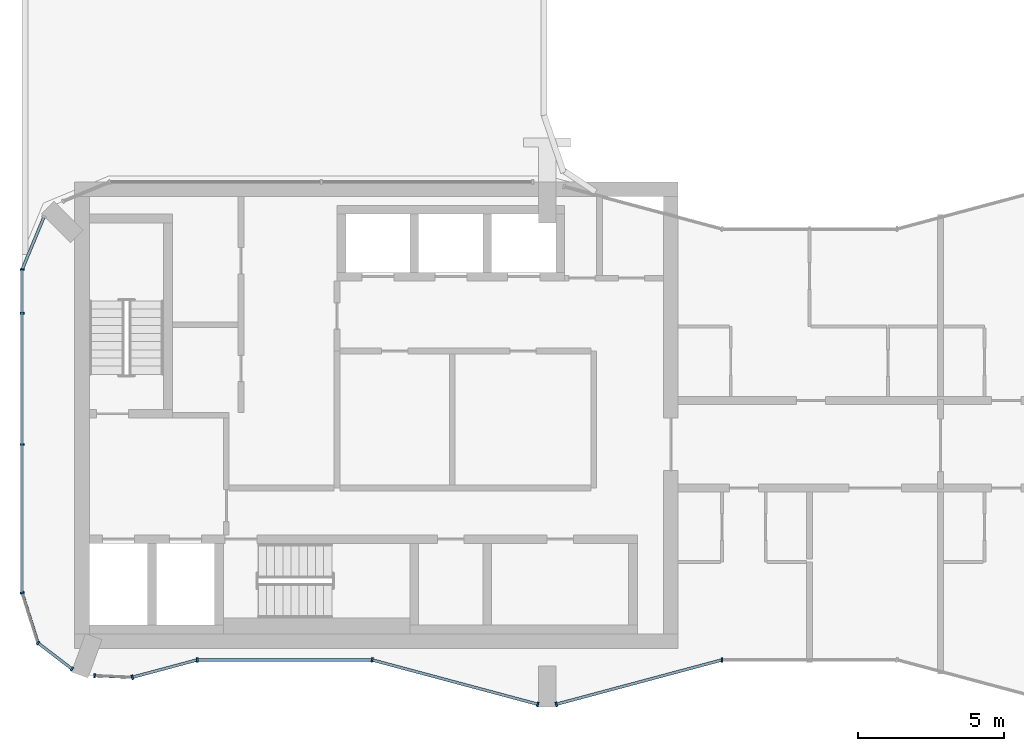
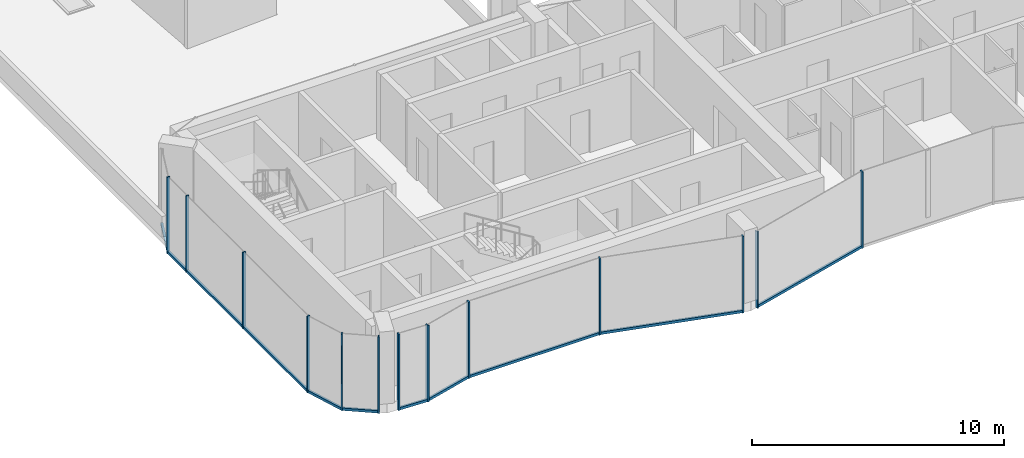
# One storey, part 2 of 13: 22 members, 10 elements without a shape of their own.
"""IFC4 building model written with IfcOpenShell, lengths in metres."""

from ifc_helpers import new_model, si_unit, direction, frame, origin, origin_2d, place, context, subcontext, project, spatial, rectangle, extrude, material, layer, layer_set, material_profile, profile_set, type_object, element, aggregate, save


model = new_model("IFC4")

# Units and contexts
model_context = context("Model", 3, precision=1e-05, world=origin(), true_north=direction((0.0, 1.0)))
body_context = subcontext(model_context, "Body", "Model", "MODEL_VIEW")
ifc_project = project(units=[si_unit("LENGTHUNIT", "METRE"), si_unit("AREAUNIT", "SQUARE_METRE"), si_unit("VOLUMEUNIT", "CUBIC_METRE"), si_unit("PLANEANGLEUNIT", "RADIAN"), si_unit("MASSUNIT", "GRAM", prefix="KILO")], contexts=[model_context])

# Site, building, storey
site_placement = place(None, origin())
site = spatial("IfcSite", under=ifc_project, at=site_placement, CompositionType="ELEMENT")
building_placement = place(site_placement, origin())
building = spatial("IfcBuilding", under=site, at=building_placement, Name="Plateau Cross Towers", CompositionType="ELEMENT")
storey_placement = place(building_placement, frame((0.0, 0.0, 229.39990234375)))
storey = spatial("IfcBuildingStorey", under=building, at=storey_placement, Name="L60", CompositionType="ELEMENT", Elevation=229.39990234375)

# Curtain wall, members
ifc_material_1 = material(Name="Dark low-iron glass", Category="glass")
ifc_layer_1 = layer(ifc_material_1, 0.239990234375)
ifc_layer_set_1 = layer_set([ifc_layer_1], Name="Dark low-iron glass")
curtain_wall_type_1 = type_object("IfcCurtainWallType", Name="Curtain wall flush unitised CW-B", PredefinedType="NOTDEFINED", material=ifc_layer_set_1)
curtain_wall_1_placement = place(storey_placement, origin())
curtain_wall_1 = element("IfcCurtainWall", 1, at=curtain_wall_1_placement, inside=storey, type_object=curtain_wall_type_1, Name="ENV/A/L60/A0_150", PredefinedType="NOTDEFINED")
ifc_material_2 = material(Name="Black anodised aluminium", Category="aluminium")
ifc_material_profile_1 = material_profile(ifc_material_2, rectangle(XDim=0.06005859375, YDim=0.139892578125, at=origin_2d()), Name="MULLION 60x140")
ifc_profile_set_1 = profile_set([ifc_material_profile_1], Name="Black anodised aluminium")
member_type_1 = type_object("IfcMemberType", Name="Mullion 60x140 flush unitised", PredefinedType="MULLION", material=ifc_profile_set_1)
member_1_placement = place(storey_placement, frame((0.0, 15.0, -0.449951171875), z_axis=(0.0, 0.0, 1.0), x_axis=(0.0, -1.0, 0.0)))
member_1 = element("IfcMember", 2, at=member_1_placement, type_object=member_type_1, Name="CW-B mullion 1", PredefinedType="MULLION", context=body_context, shape_type="SweptSolid", body=[
    extrude(rectangle(XDim=0.06005859375, YDim=0.139892578125, at=origin_2d()), origin(), (0.0, 0.0, 1.0), 3.699951171875),
])
member_2_placement = place(storey_placement, frame((0.0, 13.5, -0.449951171875), z_axis=(0.0, 0.0, 1.0), x_axis=(0.0, -1.0, 0.0)))
member_2 = element("IfcMember", 3, at=member_2_placement, type_object=member_type_1, Name="CW-B mullion 2", PredefinedType="MULLION", context=body_context, shape_type="SweptSolid", body=[
    extrude(rectangle(XDim=0.06005859375, YDim=0.139892578125, at=origin_2d()), origin(), (0.0, 0.0, 1.0), 3.699951171875),
])
member_3_placement = place(storey_placement, frame((0.0, 9.0, -0.449951171875), z_axis=(0.0, 0.0, 1.0), x_axis=(0.0, -1.0, 0.0)))
member_3 = element("IfcMember", 4, at=member_3_placement, type_object=member_type_1, Name="CW-B mullion 3", PredefinedType="MULLION", context=body_context, shape_type="SweptSolid", body=[
    extrude(rectangle(XDim=0.06005859375, YDim=0.139892578125, at=origin_2d()), origin(), (0.0, 0.0, 1.0), 3.699951171875),
])

# Curtain wall, member
curtain_wall_2_placement = place(storey_placement, origin())
curtain_wall_2 = element("IfcCurtainWall", 5, at=curtain_wall_2_placement, inside=storey, type_object=curtain_wall_type_1, Name="ENV/A/L60/A0_39", PredefinedType="NOTDEFINED")
member_4_placement = place(storey_placement, frame((0.0, 3.9091796875, -0.449951171875), z_axis=(0.0, 0.0, 1.0), x_axis=(0.300686174994, -0.95372313811, 0.0)))
member_4 = element("IfcMember", 6, at=member_4_placement, type_object=member_type_1, Name="CW-B mullion 1", PredefinedType="MULLION", context=body_context, shape_type="SweptSolid", body=[
    extrude(rectangle(XDim=0.06005859375, YDim=0.139892578125, at=origin_2d()), origin(), (0.0, 0.0, 1.0), 3.699951171875),
])

# Curtain wall, members
curtain_wall_3_placement = place(storey_placement, origin())
curtain_wall_3 = element("IfcCurtainWall", 7, at=curtain_wall_3_placement, inside=storey, type_object=curtain_wall_type_1, Name="ENV/A/L60/A5_22", PredefinedType="NOTDEFINED")
member_5_placement = place(storey_placement, frame((0.54248046875, 2.1884765625, -0.449951171875), z_axis=(0.0, 0.0, 1.0), x_axis=(0.793315514529, -0.608810721331, 0.0)))
member_5 = element("IfcMember", 8, at=member_5_placement, type_object=member_type_1, Name="CW-B mullion 1", PredefinedType="MULLION", context=body_context, shape_type="SweptSolid", body=[
    extrude(rectangle(XDim=0.06005859375, YDim=0.139892578125, at=origin_2d()), origin(), (0.0, 0.0, 1.0), 3.699951171875),
])
member_6_placement = place(storey_placement, frame((1.709716796875, 1.292724609375, -0.449951171875), z_axis=(0.0, 0.0, 1.0), x_axis=(0.793315514529, -0.608810721331, 0.0)))
member_6 = element("IfcMember", 9, at=member_6_placement, type_object=member_type_1, Name="CW-B mullion 2", PredefinedType="MULLION", context=body_context, shape_type="SweptSolid", body=[
    extrude(rectangle(XDim=0.06005859375, YDim=0.139892578125, at=origin_2d()), origin(), (0.0, 0.0, 1.0), 3.699951171875),
])

# Curtain wall, member
curtain_wall_4_placement = place(storey_placement, origin())
curtain_wall_4 = element("IfcCurtainWall", 10, at=curtain_wall_4_placement, inside=storey, type_object=curtain_wall_type_1, Name="ENV/A/L60/A25_11", PredefinedType="NOTDEFINED")
member_7_placement = place(storey_placement, frame((2.483642578125, 1.06787109375, -0.449951171875), z_axis=(0.0, 0.0, 1.0), x_axis=(0.999043701491, -0.043722791671, 0.0)))
member_7 = element("IfcMember", 11, at=member_7_placement, type_object=member_type_1, Name="CW-B mullion 1", PredefinedType="MULLION", context=body_context, shape_type="SweptSolid", body=[
    extrude(rectangle(XDim=0.06005859375, YDim=0.139892578125, at=origin_2d()), origin(), (0.0, 0.0, 1.0), 3.699951171875),
])

ifc_layer_2 = layer(ifc_material_1, 0.260009765625)
ifc_layer_set_2 = layer_set([ifc_layer_2], Name="Dark low-iron glass")
curtain_wall_type_2 = type_object("IfcCurtainWallType", Name="Curtain wall fluted unitised CW-A", PredefinedType="NOTDEFINED", material=ifc_layer_set_2)
curtain_wall_5_placement = place(storey_placement, origin())
curtain_wall_5 = element("IfcCurtainWall", 12, at=curtain_wall_5_placement, inside=storey, type_object=curtain_wall_type_2, Name="ENV/A/L60/A38_10", PredefinedType="NOTDEFINED")
ifc_material_profile_2 = material_profile(ifc_material_2, rectangle(XDim=0.06005859375, YDim=0.159912109375, at=origin_2d()), Name="MULLION 60x160")
ifc_profile_set_2 = profile_set([ifc_material_profile_2], Name="Black anodised aluminium")
member_type_2 = type_object("IfcMemberType", Name="Mullion 60x160 fluted unitised", PredefinedType="MULLION", material=ifc_profile_set_2)
member_8_placement = place(storey_placement, frame((3.776123046875, 1.01123046875, -0.449951171875), z_axis=(0.0, 0.0, 1.0), x_axis=(0.965957962328, 0.258699081978, 0.0)))
member_8 = element("IfcMember", 13, at=member_8_placement, type_object=member_type_2, Name="CW-A mullion 1", PredefinedType="MULLION", context=body_context, shape_type="SweptSolid", body=[
    extrude(rectangle(XDim=0.06005859375, YDim=0.159912109375, at=origin_2d()), origin(), (0.0, 0.0, 1.0), 3.699951171875),
])

curtain_wall_6_placement = place(storey_placement, origin())
curtain_wall_6 = element("IfcCurtainWall", 14, at=curtain_wall_6_placement, inside=storey, type_object=curtain_wall_type_2, Name="ENV/A/L60/A60_16", PredefinedType="NOTDEFINED")
member_9_placement = place(storey_placement, frame((6.0, 1.60693359375, -0.449951171875), z_axis=(0.0, 0.0, 1.0), x_axis=(1.0, 0.0, 0.0)))
member_9 = element("IfcMember", 15, at=member_9_placement, type_object=member_type_2, Name="CW-A mullion 1", PredefinedType="MULLION", context=body_context, shape_type="SweptSolid", body=[
    extrude(rectangle(XDim=0.06005859375, YDim=0.159912109375, at=origin_2d()), origin(), (0.0, 0.0, 1.0), 3.699951171875),
])

# Curtain wall, members
curtain_wall_7_placement = place(storey_placement, origin())
curtain_wall_7 = element("IfcCurtainWall", 16, at=curtain_wall_7_placement, inside=storey, type_object=curtain_wall_type_2, Name="ENV/A/L60/A120_16", PredefinedType="NOTDEFINED")
member_10_placement = place(storey_placement, frame((12.0, 1.60693359375, -0.449951171875), z_axis=(0.0, 0.0, 1.0), x_axis=(0.965957983404, -0.258699003279, 0.0)))
member_10 = element("IfcMember", 17, at=member_10_placement, type_object=member_type_2, Name="CW-A mullion 1", PredefinedType="MULLION", context=body_context, shape_type="SweptSolid", body=[
    extrude(rectangle(XDim=0.06005859375, YDim=0.159912109375, at=origin_2d()), origin(), (0.0, 0.0, 1.0), 3.699951171875),
])
member_11_placement = place(storey_placement, frame((17.68212890625, 0.085205078125, -0.449951171875), z_axis=(0.0, 0.0, 1.0), x_axis=(0.965957983404, -0.258699003279, 0.0)))
member_11 = element("IfcMember", 18, at=member_11_placement, type_object=member_type_2, Name="CW-A mullion 2", PredefinedType="MULLION", context=body_context, shape_type="SweptSolid", body=[
    extrude(rectangle(XDim=0.06005859375, YDim=0.159912109375, at=origin_2d()), origin(), (0.0, 0.0, 1.0), 3.699951171875),
])

# Curtain wall, member
curtain_wall_8_placement = place(storey_placement, origin())
curtain_wall_8 = element("IfcCurtainWall", 19, at=curtain_wall_8_placement, inside=storey, type_object=curtain_wall_type_2, Name="ENV/A/L60/A183_1", PredefinedType="NOTDEFINED")
member_12_placement = place(storey_placement, frame((18.31787109375, 0.085205078125, -0.449951171875), z_axis=(0.0, 0.0, 1.0), x_axis=(0.965957983404, 0.258699003279, 0.0)))
member_12 = element("IfcMember", 20, at=member_12_placement, type_object=member_type_2, Name="CW-A mullion 1", PredefinedType="MULLION", context=body_context, shape_type="SweptSolid", body=[
    extrude(rectangle(XDim=0.06005859375, YDim=0.159912109375, at=origin_2d()), origin(), (0.0, 0.0, 1.0), 3.699951171875),
])

curtain_wall_9_placement = place(storey_placement, origin())
curtain_wall_9 = element("IfcCurtainWall", 21, at=curtain_wall_9_placement, inside=storey, type_object=curtain_wall_type_2, Name="ENV/A/L60/A240_16", PredefinedType="NOTDEFINED")
member_13_placement = place(storey_placement, frame((24.0, 1.60693359375, -0.449951171875), z_axis=(0.0, 0.0, 1.0), x_axis=(1.0, 0.0, 0.0)))
member_13 = element("IfcMember", 22, at=member_13_placement, type_object=member_type_2, Name="CW-A mullion 1", PredefinedType="MULLION", context=body_context, shape_type="SweptSolid", body=[
    extrude(rectangle(XDim=0.06005859375, YDim=0.159912109375, at=origin_2d()), origin(), (0.0, 0.0, 1.0), 3.699951171875),
])
aggregate(curtain_wall_9, [member_13])

curtain_wall_10_placement = place(storey_placement, origin())
curtain_wall_10 = element("IfcCurtainWall", 23, at=curtain_wall_10_placement, inside=storey, type_object=curtain_wall_type_1, Name="ENV/A/L60/A7_168", PredefinedType="NOTDEFINED")
ifc_material_profile_3 = material_profile(ifc_material_2, rectangle(XDim=0.10009765625, YDim=0.1201171875, at=origin_2d()), Name="TRANSOM 100x120")
ifc_profile_set_3 = profile_set([ifc_material_profile_3], Name="Black anodised aluminium")
member_type_3 = type_object("IfcMemberType", Name="Transom 100x120 flush unitised", PredefinedType="USERDEFINED", material=ifc_profile_set_3)
member_14_placement = place(storey_placement, frame((0.748046875, 16.805908203125, -0.389892578125), z_axis=(-0.382690071798, -0.92387678234, 0.0), x_axis=(0.92387678234, -0.382690071798, 0.0)))
member_14 = element("IfcMember", 24, at=member_14_placement, type_object=member_type_3, Name="CW-B transom", ObjectType="TRANSOM", PredefinedType="USERDEFINED", context=body_context, shape_type="SweptSolid", body=[
    extrude(rectangle(XDim=0.10009765625, YDim=0.1201171875, at=origin_2d()), origin(), (0.0, 0.0, 1.0), 1.95458984375),
])
aggregate(curtain_wall_10, [member_14])

# Member
member_15_placement = place(storey_placement, frame((0.0, 15.0, -0.389892578125), z_axis=(0.0, -1.0, 0.0), x_axis=(1.0, 0.0, 0.0)))
member_15 = element("IfcMember", 25, at=member_15_placement, type_object=member_type_3, Name="CW-B transom", ObjectType="TRANSOM", PredefinedType="USERDEFINED", context=body_context, shape_type="SweptSolid", body=[
    extrude(rectangle(XDim=0.10009765625, YDim=0.1201171875, at=origin_2d()), origin(), (0.0, 0.0, 1.0), 11.0908203125),
])

aggregate(curtain_wall_1, [member_1, member_2, member_3, member_15])

member_16_placement = place(storey_placement, frame((0.0, 3.9091796875, -0.389892578125), z_axis=(0.30067799945, -0.953725715626, 0.0), x_axis=(0.953725715626, 0.30067799945, 0.0)))
member_16 = element("IfcMember", 26, at=member_16_placement, type_object=member_type_3, Name="CW-B transom", ObjectType="TRANSOM", PredefinedType="USERDEFINED", context=body_context, shape_type="SweptSolid", body=[
    extrude(rectangle(XDim=0.10009765625, YDim=0.1201171875, at=origin_2d()), origin(), (0.0, 0.0, 1.0), 1.80419921875),
])

aggregate(curtain_wall_2, [member_4, member_16])

member_17_placement = place(storey_placement, frame((0.54248046875, 2.1884765625, -0.389892578125), z_axis=(0.793320508571, -0.608804213751, 0.0), x_axis=(0.608804213751, 0.793320508571, 0.0)))
member_17 = element("IfcMember", 27, at=member_17_placement, type_object=member_type_3, Name="CW-B transom", ObjectType="TRANSOM", PredefinedType="USERDEFINED", context=body_context, shape_type="SweptSolid", body=[
    extrude(rectangle(XDim=0.10009765625, YDim=0.1201171875, at=origin_2d()), origin(), (0.0, 0.0, 1.0), 1.471435546875),
])

aggregate(curtain_wall_3, [member_5, member_6, member_17])

member_18_placement = place(storey_placement, frame((2.483642578125, 1.06787109375, -0.389892578125), z_axis=(0.999041144614, -0.043781175963, 0.0), x_axis=(0.043781175963, 0.999041144614, 0.0)))
member_18 = element("IfcMember", 28, at=member_18_placement, type_object=member_type_3, Name="CW-B transom", ObjectType="TRANSOM", PredefinedType="USERDEFINED", context=body_context, shape_type="SweptSolid", body=[
    extrude(rectangle(XDim=0.10009765625, YDim=0.1201171875, at=origin_2d()), origin(), (0.0, 0.0, 1.0), 1.293701171875),
])

aggregate(curtain_wall_4, [member_7, member_18])

ifc_material_profile_4 = material_profile(ifc_material_2, rectangle(XDim=0.10009765625, YDim=0.1201171875, at=origin_2d()), Name="TRANSOM 100x120")
ifc_profile_set_4 = profile_set([ifc_material_profile_4], Name="Black anodised aluminium")
member_type_4 = type_object("IfcMemberType", Name="Transom 100x120 fluted unitised", PredefinedType="USERDEFINED", material=ifc_profile_set_4)
member_19_placement = place(storey_placement, frame((3.776123046875, 1.01123046875, -0.389892578125), z_axis=(0.965945685136, 0.258744919501, 0.0), x_axis=(-0.258744919501, 0.965945685136, 0.0)))
member_19 = element("IfcMember", 29, at=member_19_placement, type_object=member_type_4, Name="CW-A transom", ObjectType="TRANSOM", PredefinedType="USERDEFINED", context=body_context, shape_type="SweptSolid", body=[
    extrude(rectangle(XDim=0.10009765625, YDim=0.1201171875, at=origin_2d()), origin(), (0.0, 0.0, 1.0), 2.30224609375),
])

aggregate(curtain_wall_5, [member_8, member_19])

member_20_placement = place(storey_placement, frame((6.0, 1.60693359375, -0.389892578125), z_axis=(1.0, 0.0, 0.0), x_axis=(0.0, 1.0, 0.0)))
member_20 = element("IfcMember", 30, at=member_20_placement, type_object=member_type_4, Name="CW-A transom", ObjectType="TRANSOM", PredefinedType="USERDEFINED", context=body_context, shape_type="SweptSolid", body=[
    extrude(rectangle(XDim=0.10009765625, YDim=0.1201171875, at=origin_2d()), origin(), (0.0, 0.0, 1.0), 6.0),
])

aggregate(curtain_wall_6, [member_9, member_20])

member_21_placement = place(storey_placement, frame((12.0, 1.60693359375, -0.389892578125), z_axis=(0.965959534794, -0.258693210465, 0.0), x_axis=(0.258693210465, 0.965959534794, 0.0)))
member_21 = element("IfcMember", 31, at=member_21_placement, type_object=member_type_4, Name="CW-A transom", ObjectType="TRANSOM", PredefinedType="USERDEFINED", context=body_context, shape_type="SweptSolid", body=[
    extrude(rectangle(XDim=0.10009765625, YDim=0.1201171875, at=origin_2d()), origin(), (0.0, 0.0, 1.0), 5.88232421875),
])

aggregate(curtain_wall_7, [member_10, member_11, member_21])

member_22_placement = place(storey_placement, frame((18.31787109375, 0.085205078125, -0.389892578125), z_axis=(0.965959534794, 0.258693210465, 0.0), x_axis=(-0.258693210465, 0.965959534794, 0.0)))
member_22 = element("IfcMember", 32, at=member_22_placement, type_object=member_type_4, Name="CW-A transom", ObjectType="TRANSOM", PredefinedType="USERDEFINED", context=body_context, shape_type="SweptSolid", body=[
    extrude(rectangle(XDim=0.10009765625, YDim=0.1201171875, at=origin_2d()), origin(), (0.0, 0.0, 1.0), 5.88232421875),
])

aggregate(curtain_wall_8, [member_12, member_22])

save(model, "model.ifc")
